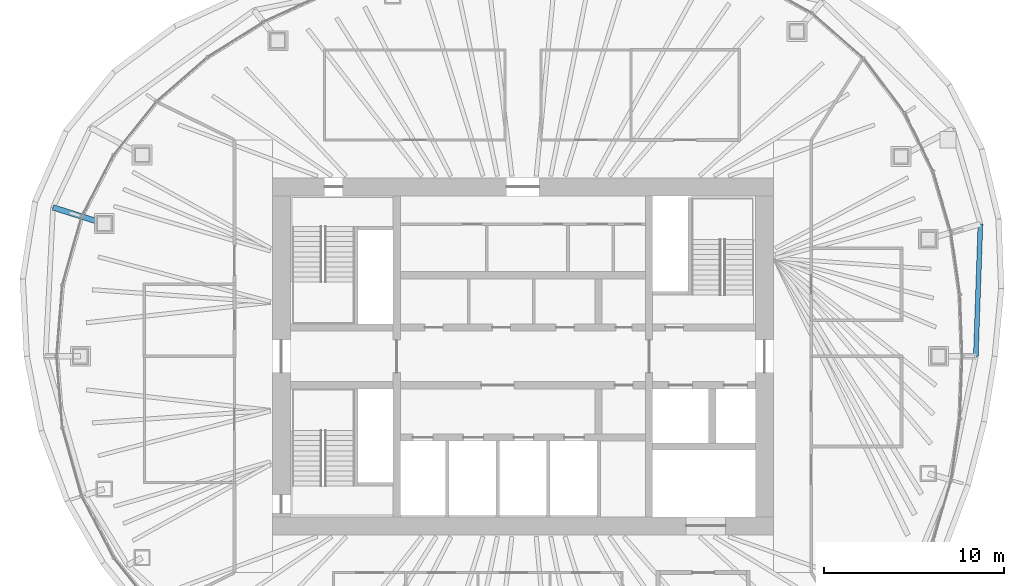
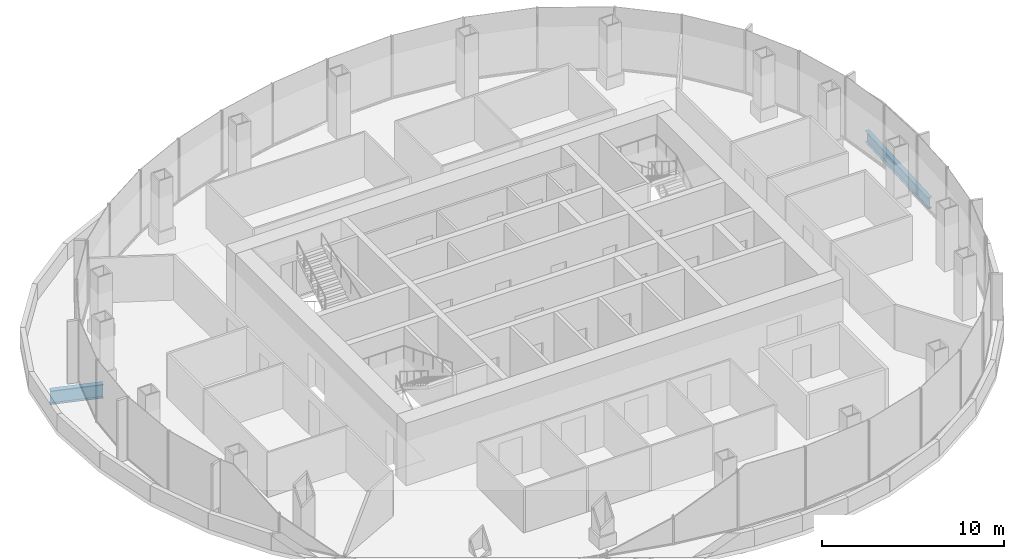
# One storey, part 5 of 13: 2 beams.
"""IFC4 building model written with IfcOpenShell, lengths in metres."""

from ifc_helpers import new_model, si_unit, direction, frame, origin, origin_2d, place, context, subcontext, project, spatial, i_section, extrude, material, material_profile, profile_set, type_object, element, save


model = new_model("IFC4")

# Units and contexts
model_context = context("Model", 3, precision=1e-05, world=origin(), true_north=direction((0.0, 1.0)))
body_context = subcontext(model_context, "Body", "Model", "MODEL_VIEW")
ifc_project = project(units=[si_unit("LENGTHUNIT", "METRE"), si_unit("AREAUNIT", "SQUARE_METRE"), si_unit("VOLUMEUNIT", "CUBIC_METRE"), si_unit("PLANEANGLEUNIT", "RADIAN"), si_unit("MASSUNIT", "GRAM", prefix="KILO")], contexts=[model_context])

# Site, building, storey
site_placement = place(None, origin())
site = spatial("IfcSite", under=ifc_project, at=site_placement, CompositionType="ELEMENT")
building_placement = place(site_placement, origin())
building = spatial("IfcBuilding", under=site, at=building_placement, Name="Ghaith Harvest Tower", CompositionType="ELEMENT")
storey_placement = place(building_placement, frame((0.0, 0.0, 271.199951171875)))
storey = spatial("IfcBuildingStorey", under=building, at=storey_placement, Name="L60", CompositionType="ELEMENT", Elevation=271.199951171875)

# Beams
ifc_material_1 = material(Name="Steel ASTM A992 Grade 50", Category="steel")
ifc_material_profile_1 = material_profile(ifc_material_1, i_section(OverallWidth=0.26611328125, OverallDepth=0.758056640625, WebThickness=0.013916015625, FlangeThickness=0.019287109375, at=origin_2d()), Name="W760X161")
ifc_profile_set_1 = profile_set([ifc_material_profile_1], Name="Steel ASTM A992 Grade 50")
beam_type_1 = type_object("IfcBeamType", Name="E760-161 W760X161", PredefinedType="SPANDREL", material=ifc_profile_set_1)
beam_1_placement = place(storey_placement, frame((25.125, 0.0, -0.654052734375), z_axis=(0.034528726087, 0.999403705754, 0.0), x_axis=(-0.999403705754, 0.034528726087, 0.0)))
element("IfcBeam", 1, at=beam_1_placement, inside=storey, type_object=beam_type_1, Name="Setback edge beam E01 L60", PredefinedType="SPANDREL", context=body_context, shape_type="SweptSolid", body=[
    extrude(i_section(OverallWidth=0.26611328125, OverallDepth=0.758056640625, WebThickness=0.013916015625, FlangeThickness=0.019287109375, at=origin_2d()), origin(), (0.0, 0.0, 1.0), 7.33935546875),
])
ifc_material_2 = material(Name="Steel ASTM A992 Grade 50", Category="steel")
ifc_material_profile_2 = material_profile(ifc_material_2, i_section(OverallWidth=0.31005859375, OverallDepth=0.927001953125, WebThickness=0.019287109375, FlangeThickness=0.031982421875, at=origin_2d()), Name="W920X289")
ifc_profile_set_2 = profile_set([ifc_material_profile_2], Name="Steel ASTM A992 Grade 50")
beam_type_2 = type_object("IfcBeamType", Name="G920-289 W920X289", PredefinedType="BEAM", material=ifc_profile_set_2)
beam_2_placement = place(storey_placement, frame((-23.22412109375, 7.360107421875, -0.738525390625), z_axis=(-0.953269167597, 0.302122316469, 0.0), x_axis=(-0.302122316469, -0.953269167597, 0.0)))
element("IfcBeam", 2, at=beam_2_placement, inside=storey, type_object=beam_type_2, Name="Setback cantilever G10 L60", PredefinedType="BEAM", context=body_context, shape_type="SweptSolid", body=[
    extrude(i_section(OverallWidth=0.31005859375, OverallDepth=0.927001953125, WebThickness=0.019287109375, FlangeThickness=0.031982421875, at=origin_2d()), origin(), (0.0, 0.0, 1.0), 2.982666015625),
])

save(model, "model.ifc")
